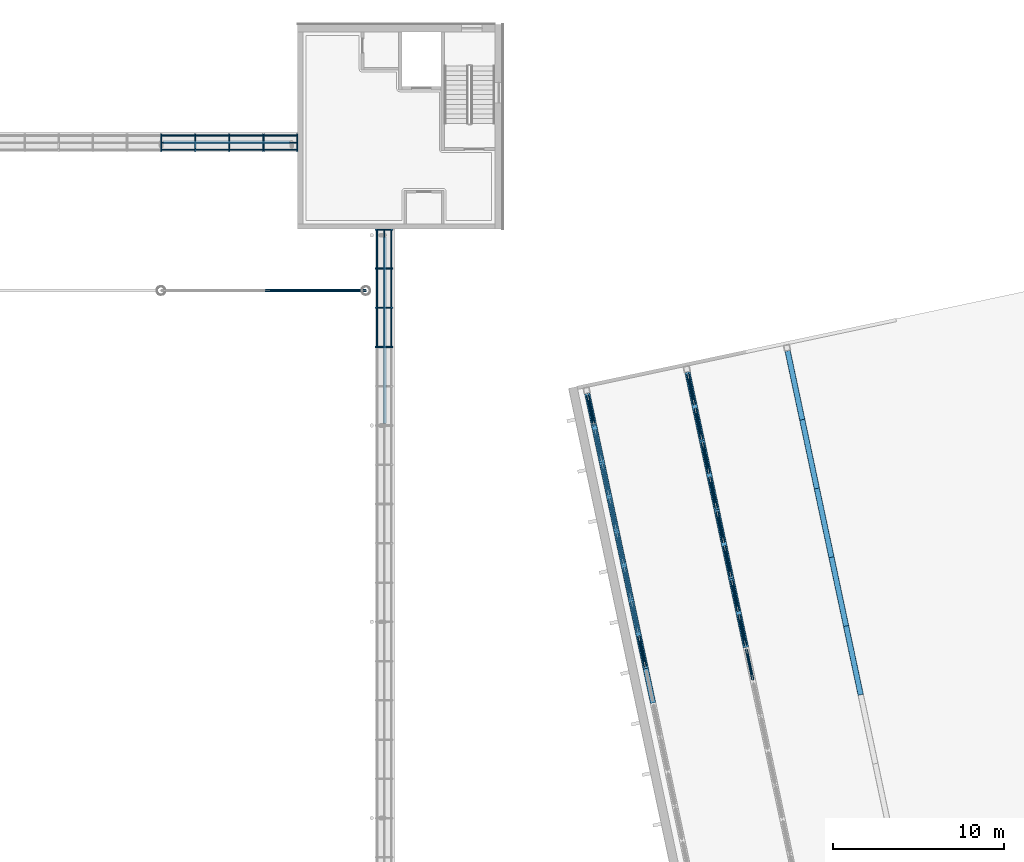
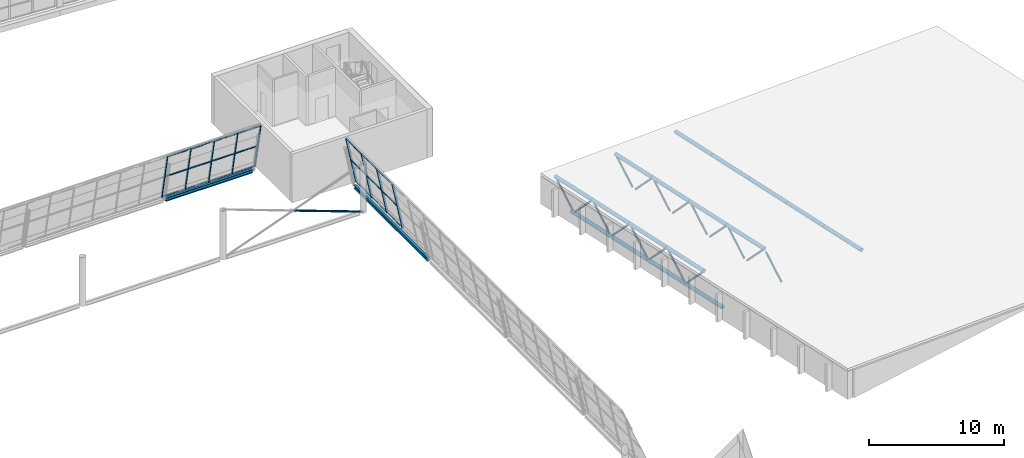
# One storey, part 17 of 50: 65 members, 2 beams, 2 elements without a shape of their own.
"""IFC4 building model written with IfcOpenShell, lengths in metres."""

import ifcopenshell
import ifcopenshell.guid

model = None  # the IFC model being written
_history = None  # IfcOwnerHistory: only IFC2X3 demands one
_inside = {}  # id of a spatial element -> (the spatial element, [elements in it])
_under = {}  # id of a project, library or spatial element -> (it, [spatial elements below it])
_declared = {}  # id of a project -> (the project, [libraries it declares])
_typed = {}  # id of a type object -> (the type object, [elements of that type])
_made_of = {}  # id of a material, layer set ... -> (it, [elements and type objects made of it])


def new_model(schema):
    """Start an empty IFC model of exactly this schema.

    Asked for "IFC4X3", IfcOpenShell would pick the latest addendum, in which some entities
    have other attributes; the version numbers below select the first issue.
    IFC2X3 requires an IfcOwnerHistory on every rooted entity: one is made here for all.
    """
    global model, _history
    if schema == "IFC4X3":
        model = ifcopenshell.file(schema_version=(4, 3, 0, 0))
    else:
        model = ifcopenshell.file(schema=schema)
    _inside.clear()
    _under.clear()
    _declared.clear()
    _typed.clear()
    _made_of.clear()
    _history = None
    if model.schema == "IFC2X3":
        org = make("IfcOrganization", Name="unknown")
        user = make(
            "IfcPersonAndOrganization",
            ThePerson=make("IfcPerson", FamilyName="unknown"),
            TheOrganization=org,
        )
        app = make(
            "IfcApplication",
            ApplicationDeveloper=org,
            Version="unknown",
            ApplicationFullName="unknown",
            ApplicationIdentifier="unknown",
        )
        _history = make(
            "IfcOwnerHistory",
            OwningUser=user,
            OwningApplication=app,
            ChangeAction="ADDED",
            CreationDate=0,
        )
    return model


def make(cls, **values):
    """One entity of the class cls with the attributes given. An attribute that is None is left unset."""
    return model.create_entity(
        cls, **{name: value for name, value in values.items() if value is not None}
    )


def rooted(cls, **values):
    """An entity with a GlobalId (a new one), such as an element, a storey or a relation."""
    return make(cls, GlobalId=ifcopenshell.guid.new(), OwnerHistory=_history, **values)


def si_unit(unit_type, name, prefix=None):
    """IfcSIUnit, for example si_unit("LENGTHUNIT", "METRE", prefix="MILLI")."""
    return make("IfcSIUnit", UnitType=unit_type, Prefix=prefix, Name=name)


def assignment(units):
    """IfcUnitAssignment: the units of a project."""
    return None if units is None else make("IfcUnitAssignment", Units=units)


def point(xyz):
    """IfcCartesianPoint."""
    return None if xyz is None else make("IfcCartesianPoint", Coordinates=xyz)


def direction(xyz):
    """IfcDirection."""
    return None if xyz is None else make("IfcDirection", DirectionRatios=xyz)


def frame(location, z_axis=None, x_axis=None):
    """IfcAxis2Placement3D, a coordinate frame: its origin and axes. An axis left out is left unset."""
    return make(
        "IfcAxis2Placement3D",
        Location=point(location),
        Axis=direction(z_axis),
        RefDirection=direction(x_axis),
    )


def frame_2d(location, x_axis=None):
    """IfcAxis2Placement2D, a coordinate frame in the plane: its origin and x axis."""
    return make(
        "IfcAxis2Placement2D", Location=point(location), RefDirection=direction(x_axis)
    )


def origin():
    """The frame at (0, 0, 0) with its axes left unset."""
    return frame((0.0, 0.0, 0.0))


def origin_2d():
    """The frame at (0, 0) in the plane with its x axis left unset."""
    return frame_2d((0.0, 0.0))


def place(relative_to, where):
    """IfcLocalPlacement: puts the frame where relative to a parent placement (None: the world)."""
    return make(
        "IfcLocalPlacement", PlacementRelTo=relative_to, RelativePlacement=where
    )


def context(
    kind, dimensions, precision=None, world=None, true_north=None, identifier=None
):
    """IfcGeometricRepresentationContext, for example the 3D "Model" context."""
    return make(
        "IfcGeometricRepresentationContext",
        ContextIdentifier=identifier,
        ContextType=kind,
        CoordinateSpaceDimension=dimensions,
        Precision=precision,
        WorldCoordinateSystem=world,
        TrueNorth=true_north,
    )


def subcontext(parent, identifier, kind, view, scale=None):
    """IfcGeometricRepresentationSubContext, for example "Body" below "Model"."""
    return make(
        "IfcGeometricRepresentationSubContext",
        ContextIdentifier=identifier,
        ContextType=kind,
        ParentContext=parent,
        TargetScale=scale,
        TargetView=view,
    )


def project(units=None, contexts=None):
    """IfcProject with its units and contexts."""
    return rooted(
        "IfcProject",
        Name="project",
        RepresentationContexts=contexts,
        UnitsInContext=assignment(units),
    )


def spatial(cls, under=None, at=None, **own):
    """A site, building, storey or space (cls), placed at a placement, below another one or the project."""
    s = rooted(cls, ObjectPlacement=at, **own)
    if under is not None:
        _under.setdefault(under.id(), (under, []))[1].append(s)
    return s


def profile(cls, at=None, kind="AREA", **sizes):
    """A parametric profile (cls). Its sizes go by their IFC names, for example OverallWidth=200.0."""
    return make(cls, ProfileType=kind, Position=at, **sizes)


def rectangle(**sizes):
    """IfcRectangleProfileDef."""
    return profile("IfcRectangleProfileDef", **sizes)


def hollow_circle(**sizes):
    """IfcCircleHollowProfileDef."""
    return profile("IfcCircleHollowProfileDef", **sizes)


def i_section(**sizes):
    """IfcIShapeProfileDef."""
    return profile("IfcIShapeProfileDef", **sizes)


def extrude(swept, where, along, depth):
    """IfcExtrudedAreaSolid: the profile swept, set in the frame where, extruded along a direction by depth."""
    return make(
        "IfcExtrudedAreaSolid",
        SweptArea=swept,
        Position=where,
        ExtrudedDirection=direction(along),
        Depth=depth,
    )


def shape(context_of_items, identifier, shape_type, items):
    """IfcShapeRepresentation: the items that make up one representation, for example the "Body"."""
    return make(
        "IfcShapeRepresentation",
        ContextOfItems=context_of_items,
        RepresentationIdentifier=identifier,
        RepresentationType=shape_type,
        Items=items,
    )


def material(Name=None, Category=None):
    """IfcMaterial."""
    return make("IfcMaterial", Name=Name, Category=Category)


def layer(
    of_material, thickness, ventilated=None, Name=None, Category=None, Priority=None
):
    """IfcMaterialLayer: one layer of a wall or slab, of a material (None: an air gap)."""
    return make(
        "IfcMaterialLayer",
        Material=of_material,
        LayerThickness=thickness,
        IsVentilated=ventilated,
        Name=Name,
        Category=Category,
        Priority=Priority,
    )


def layer_set(layers, Name=None):
    """IfcMaterialLayerSet."""
    return make("IfcMaterialLayerSet", MaterialLayers=layers, LayerSetName=Name)


def material_profile(
    of_material, cross_section, Name=None, Category=None, Priority=None
):
    """IfcMaterialProfile: a cross section and its material."""
    return make(
        "IfcMaterialProfile",
        Name=Name,
        Material=of_material,
        Profile=cross_section,
        Priority=Priority,
        Category=Category,
    )


def profile_set(profiles, Name=None, composite=None):
    """IfcMaterialProfileSet."""
    return make(
        "IfcMaterialProfileSet",
        Name=Name,
        MaterialProfiles=profiles,
        CompositeProfile=composite,
    )


def made_of(thing, what):
    """Note that an element or type object is made of a material, layer set ...; save() writes the relation."""
    if what is not None:
        _made_of.setdefault(what.id(), (what, []))[1].append(thing)
    return thing


def type_object(cls, material=None, **own):
    """A type object (cls), such as IfcWallType, which elements share."""
    return made_of(rooted(cls, **own), material)


def element(
    cls,
    number,
    at=None,
    inside=None,
    cuts=None,
    type_object=None,
    material=None,
    context=None,
    identifier="Body",
    shape_type=None,
    held_by="IfcProductDefinitionShape",
    body=None,
    shapes=None,
    **own,
):
    """One element of the class cls, such as IfcWall. Its Tag is "e" and its number.

    at: its placement. inside: the storey or other place that contains it. cuts: it is an
    opening in that element (IfcRelVoidsElement). A single representation is given by context,
    identifier, shape_type and body (its items); several are given by shapes. held_by: the class
    of the entity that holds the representations. save() writes the other relations.
    """
    e = rooted(cls, Tag="e%d" % number, ObjectPlacement=at, **own)
    if body is not None:
        shapes = [shape(context, identifier, shape_type, body)]
    if shapes is not None:
        e.Representation = make(held_by, Representations=shapes)
    if inside is not None:
        _inside.setdefault(inside.id(), (inside, []))[1].append(e)
    if cuts is not None:
        rooted(
            "IfcRelVoidsElement", RelatingBuildingElement=cuts, RelatedOpeningElement=e
        )
    if type_object is not None:
        _typed.setdefault(type_object.id(), (type_object, []))[1].append(e)
    return made_of(e, material)


def aggregate(whole, parts):
    """IfcRelAggregates: a whole, such as a stair, and the parts it consists of."""
    return rooted("IfcRelAggregates", RelatingObject=whole, RelatedObjects=parts)


def save(model, path):
    """Write the relations noted so far, then the file.

    IfcRelAggregates (storeys below a building ...), IfcRelContainedInSpatialStructure (elements
    in a storey), IfcRelDefinesByType, IfcRelAssociatesMaterial and IfcRelDeclares: one each for
    every whole, place, type object, material and project.
    """
    for whole, parts in _under.values():
        aggregate(whole, parts)
    for where, things in _inside.values():
        rooted(
            "IfcRelContainedInSpatialStructure",
            RelatedElements=things,
            RelatingStructure=where,
        )
    for kind, things in _typed.values():
        rooted("IfcRelDefinesByType", RelatedObjects=things, RelatingType=kind)
    for what, things in _made_of.values():
        rooted("IfcRelAssociatesMaterial", RelatedObjects=things, RelatingMaterial=what)
    for by, libraries in _declared.values():
        rooted("IfcRelDeclares", RelatingContext=by, RelatedDefinitions=libraries)
    model.write(path)


model = new_model("IFC4")

# Units and contexts
model_context = context("Model", 3, precision=1e-05, world=origin(), true_north=direction((0.0, 1.0)))
body_context = subcontext(model_context, "Body", "Model", "MODEL_VIEW")
ifc_project = project(units=[si_unit("LENGTHUNIT", "METRE"), si_unit("AREAUNIT", "SQUARE_METRE"), si_unit("VOLUMEUNIT", "CUBIC_METRE"), si_unit("PLANEANGLEUNIT", "RADIAN"), si_unit("MASSUNIT", "GRAM", prefix="KILO")], contexts=[model_context])

# Site, building, storey
site_placement = place(None, origin())
site = spatial("IfcSite", under=ifc_project, at=site_placement, CompositionType="ELEMENT")
building_placement = place(site_placement, origin())
building = spatial("IfcBuilding", under=site, at=building_placement, Name="Windward Yard Aquatics Centre", CompositionType="ELEMENT")
storey_placement = place(building_placement, frame((0.0, 0.0, 18.199951171875)))
storey = spatial("IfcBuildingStorey", under=building, at=storey_placement, Name="L04", CompositionType="ELEMENT", Elevation=18.199951171875)

# Members
ifc_material_1 = material(Name="Steel ASTM A500 Gr C", Category="steel")
ifc_material_profile_1 = material_profile(ifc_material_1, hollow_circle(Radius=0.161865234375, WallThickness=0.0126953125, at=origin_2d()), Name="HSS323.9X12.7")
ifc_profile_set_1 = profile_set([ifc_material_profile_1], Name="Steel ASTM A500 Gr C")
member_type_1 = type_object("IfcMemberType", Name="D bottom chord HSS323.9X12.7", PredefinedType="CHORD", material=ifc_profile_set_1)
member_1_placement = place(storey_placement, frame((160.82177734375, 56.242431640625, 0.104736328125), z_axis=(-0.2079182829, 0.97814619952, 0.0), x_axis=(-0.97814619952, -0.2079182829, 0.0)))
element("IfcMember", 1, at=member_1_placement, inside=storey, type_object=member_type_1, Name="D.M.TR1.BC4", PredefinedType="CHORD", context=body_context, shape_type="SweptSolid", body=[
    extrude(hollow_circle(Radius=0.161865234375, WallThickness=0.0126953125, at=origin_2d()), origin(), (0.0, 0.0, 1.0), 4.120361328125),
])
for number, where, z_axis, x_axis, name in (
    (2, (159.965087890625, 60.272705078125, 0.104736328125), (-0.207906233063, 0.978148760799, 0.0), (-0.978148760799, -0.207906233063, 0.0), "D.M.TR1.BC5"),
    (3, (159.1083984375, 64.30322265625, 0.104736328125), (-0.207906233063, 0.978148760799, 0.0), (-0.978148760799, -0.207906233063, 0.0), "D.M.TR1.BC6"),
):
    element("IfcMember", number, at=place(storey_placement, frame(where, z_axis=z_axis, x_axis=x_axis)), inside=storey, type_object=member_type_1, Name=name, PredefinedType="CHORD", context=body_context, shape_type="SweptSolid", body=[
        extrude(hollow_circle(Radius=0.161865234375, WallThickness=0.0126953125, at=origin_2d()), origin(), (0.0, 0.0, 1.0), 4.12060546875),
    ])
member_2_placement = place(storey_placement, frame((158.251708984375, 68.333740234375, 0.104736328125), z_axis=(-0.207918885104, 0.978146071513, 0.0), x_axis=(-0.978146071513, -0.207918885104, 0.0)))
element("IfcMember", 4, at=member_2_placement, inside=storey, type_object=member_type_1, Name="D.M.TR1.BC7", PredefinedType="CHORD", context=body_context, shape_type="SweptSolid", body=[
    extrude(hollow_circle(Radius=0.161865234375, WallThickness=0.0126953125, at=origin_2d()), origin(), (0.0, 0.0, 1.0), 4.370361328125),
])
ifc_material_profile_2 = material_profile(ifc_material_1, hollow_circle(Radius=0.161865234375, WallThickness=0.0126953125, at=origin_2d()), Name="HSS323.9X12.7")
ifc_profile_set_2 = profile_set([ifc_material_profile_2], Name="Steel ASTM A500 Gr C")
member_type_2 = type_object("IfcMemberType", Name="D top chord HSS323.9X12.7", PredefinedType="CHORD", material=ifc_profile_set_2)
for number, where, z_axis, x_axis, name in (
    (5, (160.393310546875, 58.257568359375, 2.3046875), (-0.207906233063, 0.978148760799, 0.0), (-0.978148760799, -0.207906233063, 0.0), "D.M.TR1.TC5"),
    (6, (159.53662109375, 62.2880859375, 2.3046875), (-0.207906233063, 0.978148760799, 0.0), (-0.978148760799, -0.207906233063, 0.0), "D.M.TR1.TC6"),
    (7, (158.679931640625, 66.318603515625, 2.3046875), (-0.207906233063, 0.978148760799, 0.0), (-0.978148760799, -0.207906233063, 0.0), "D.M.TR1.TC7"),
):
    element("IfcMember", number, at=place(storey_placement, frame(where, z_axis=z_axis, x_axis=x_axis)), inside=storey, type_object=member_type_2, Name=name, PredefinedType="CHORD", context=body_context, shape_type="SweptSolid", body=[
        extrude(hollow_circle(Radius=0.161865234375, WallThickness=0.0126953125, at=origin_2d()), origin(), (0.0, 0.0, 1.0), 4.12060546875),
    ])
for number, where, z_axis, x_axis, name in (
    (8, (157.8232421875, 70.34912109375, 2.3046875), (-0.2079182829, 0.97814619952, 0.0), (-0.97814619952, -0.2079182829, 0.0), "D.M.TR1.TC8"),
    (9, (166.26220703125, 59.505126953125, 1.51513671875), (-0.2079182829, 0.97814619952, 0.0), (-0.97814619952, -0.2079182829, 0.0), "D.M.TR2.TC5"),
):
    element("IfcMember", number, at=place(storey_placement, frame(where, z_axis=z_axis, x_axis=x_axis)), inside=storey, type_object=member_type_2, Name=name, PredefinedType="CHORD", context=body_context, shape_type="SweptSolid", body=[
        extrude(hollow_circle(Radius=0.161865234375, WallThickness=0.0126953125, at=origin_2d()), origin(), (0.0, 0.0, 1.0), 4.120361328125),
    ])
for number, where, z_axis, x_axis, name in (
    (10, (165.405517578125, 63.535400390625, 1.51513671875), (-0.207906233063, 0.978148760799, 0.0), (-0.978148760799, -0.207906233063, 0.0), "D.M.TR2.TC6"),
    (11, (164.548828125, 67.56591796875, 1.51513671875), (-0.207906233063, 0.978148760799, 0.0), (-0.978148760799, -0.207906233063, 0.0), "D.M.TR2.TC7"),
    (12, (163.692138671875, 71.596435546875, 1.51513671875), (-0.207906233063, 0.978148760799, 0.0), (-0.978148760799, -0.207906233063, 0.0), "D.M.TR2.TC8"),
):
    element("IfcMember", number, at=place(storey_placement, frame(where, z_axis=z_axis, x_axis=x_axis)), inside=storey, type_object=member_type_2, Name=name, PredefinedType="CHORD", context=body_context, shape_type="SweptSolid", body=[
        extrude(hollow_circle(Radius=0.161865234375, WallThickness=0.0126953125, at=origin_2d()), origin(), (0.0, 0.0, 1.0), 4.12060546875),
    ])
member_3_placement = place(storey_placement, frame((172.98779296875, 56.72216796875, 0.725830078125), z_axis=(-0.2079182829, 0.97814619952, 0.0), x_axis=(-0.97814619952, -0.2079182829, 0.0)))
element("IfcMember", 13, at=member_3_placement, inside=storey, type_object=member_type_2, Name="D.M.TR3.TC4", PredefinedType="CHORD", context=body_context, shape_type="SweptSolid", body=[
    extrude(hollow_circle(Radius=0.161865234375, WallThickness=0.0126953125, at=origin_2d()), origin(), (0.0, 0.0, 1.0), 4.120361328125),
])
for number, where, z_axis, x_axis, name in (
    (14, (172.131103515625, 60.75244140625, 0.725830078125), (-0.207906233063, 0.978148760799, 0.0), (-0.978148760799, -0.207906233063, 0.0), "D.M.TR3.TC5"),
    (15, (171.2744140625, 64.782958984375, 0.725830078125), (-0.207906233063, 0.978148760799, 0.0), (-0.978148760799, -0.207906233063, 0.0), "D.M.TR3.TC6"),
    (16, (170.417724609375, 68.8134765625, 0.725830078125), (-0.207906233063, 0.978148760799, 0.0), (-0.978148760799, -0.207906233063, 0.0), "D.M.TR3.TC7"),
    (17, (169.56103515625, 72.843994140625, 0.725830078125), (-0.207906233063, 0.978148760799, 0.0), (-0.978148760799, -0.207906233063, 0.0), "D.M.TR3.TC8"),
):
    element("IfcMember", number, at=place(storey_placement, frame(where, z_axis=z_axis, x_axis=x_axis)), inside=storey, type_object=member_type_2, Name=name, PredefinedType="CHORD", context=body_context, shape_type="SweptSolid", body=[
        extrude(hollow_circle(Radius=0.161865234375, WallThickness=0.0126953125, at=origin_2d()), origin(), (0.0, 0.0, 1.0), 4.12060546875),
    ])
ifc_material_profile_3 = material_profile(ifc_material_1, hollow_circle(Radius=0.084228515625, WallThickness=0.010986328125, at=origin_2d()), Name="HSS168.3X11")
ifc_profile_set_3 = profile_set([ifc_material_profile_3], Name="Steel ASTM A500 Gr C")
member_type_3 = type_object("IfcMemberType", Name="D web HSS168.3X11", PredefinedType="BRACE", material=ifc_profile_set_3)
for number, where, z_axis, x_axis, name in (
    (18, (160.36181640625, 58.406005859375, 2.142822265625), (-0.142103284534, 0.668626350155, -0.729894143286), (-0.978152846624, -0.207887009312, 0.0), "D.M.TR1.D9"),
    (19, (159.568115234375, 62.1396484375, 2.142822265625), (0.142196353333, -0.668617322053, -0.729884287918), (0.978124581159, 0.208019959937, 0.0), "D.M.TR1.D10"),
    (20, (159.505126953125, 62.436279296875, 2.142822265625), (-0.142103284534, 0.668626350155, -0.729894143286), (-0.978152846624, -0.207887009312, 0.0), "D.M.TR1.D11"),
    (21, (158.71142578125, 66.170166015625, 2.142822265625), (0.142196353333, -0.668617322053, -0.729884287918), (0.978124581159, 0.208019959937, 0.0), "D.M.TR1.D12"),
    (22, (158.6484375, 66.466796875, 2.142822265625), (-0.142103284534, 0.668626350155, -0.729894143286), (-0.978152846624, -0.207887009312, 0.0), "D.M.TR1.D13"),
    (23, (157.854736328125, 70.20068359375, 2.142822265625), (0.142196353333, -0.668617322053, -0.729884287918), (0.978124581159, 0.208019959937, 0.0), "D.M.TR1.D14"),
    (24, (157.791748046875, 70.497314453125, 2.142822265625), (-0.142103284534, 0.668626350155, -0.729894143286), (-0.978152846624, -0.207887009312, 0.0), "D.M.TR1.D15"),
):
    element("IfcMember", number, at=place(storey_placement, frame(where, z_axis=z_axis, x_axis=x_axis)), inside=storey, type_object=member_type_3, Name=name, PredefinedType="BRACE", context=body_context, shape_type="SweptSolid", body=[
        extrude(hollow_circle(Radius=0.084228515625, WallThickness=0.010986328125, at=origin_2d()), origin(), (0.0, 0.0, 1.0), 2.5703125),
    ])
member_4_placement = place(storey_placement, frame((156.998046875, 74.23095703125, 2.142822265625), z_axis=(0.142112310021, -0.668573822143, -0.72994050147), x_axis=(0.978146839882, 0.207915270313, 0.0)))
element("IfcMember", 25, at=member_4_placement, inside=storey, type_object=member_type_3, Name="D.M.TR1.D16", PredefinedType="BRACE", context=body_context, shape_type="SweptSolid", body=[
    extrude(hollow_circle(Radius=0.084228515625, WallThickness=0.010986328125, at=origin_2d()), origin(), (0.0, 0.0, 1.0), 2.570068359375),
])
member_5_placement = place(storey_placement, frame((166.293701171875, 59.356689453125, 1.353271484375), z_axis=(0.142103284534, -0.668626350155, -0.729894143286), x_axis=(0.978152846624, 0.207887009312, 0.0)))
element("IfcMember", 26, at=member_5_placement, inside=storey, type_object=member_type_3, Name="D.M.TR2.D8", PredefinedType="BRACE", context=body_context, shape_type="SweptSolid", body=[
    extrude(hollow_circle(Radius=0.084228515625, WallThickness=0.010986328125, at=origin_2d()), origin(), (0.0, 0.0, 1.0), 2.5703125),
])
member_6_placement = place(storey_placement, frame((166.230712890625, 59.653564453125, 1.353271484375), z_axis=(-0.142112310021, 0.668573822143, -0.72994050147), x_axis=(-0.978146839882, -0.207915270313, 0.0)))
element("IfcMember", 27, at=member_6_placement, inside=storey, type_object=member_type_3, Name="D.M.TR2.D9", PredefinedType="BRACE", context=body_context, shape_type="SweptSolid", body=[
    extrude(hollow_circle(Radius=0.084228515625, WallThickness=0.010986328125, at=origin_2d()), origin(), (0.0, 0.0, 1.0), 2.570068359375),
])
for number, where, z_axis, x_axis, name in (
    (28, (165.43701171875, 63.38720703125, 1.353271484375), (0.142103284534, -0.668626350155, -0.729894143286), (0.978152846624, 0.207887009312, 0.0), "D.M.TR2.D10"),
    (29, (165.3740234375, 63.683837890625, 1.353271484375), (-0.142103284534, 0.668626350155, -0.729894143286), (-0.978152846624, -0.207887009312, 0.0), "D.M.TR2.D11"),
):
    element("IfcMember", number, at=place(storey_placement, frame(where, z_axis=z_axis, x_axis=x_axis)), inside=storey, type_object=member_type_3, Name=name, PredefinedType="BRACE", context=body_context, shape_type="SweptSolid", body=[
        extrude(hollow_circle(Radius=0.084228515625, WallThickness=0.010986328125, at=origin_2d()), origin(), (0.0, 0.0, 1.0), 2.5703125),
    ])
member_7_placement = place(storey_placement, frame((164.580322265625, 67.41748046875, 1.353271484375), z_axis=(0.142112310021, -0.668573822143, -0.72994050147), x_axis=(0.978146839882, 0.207915270313, 0.0)))
element("IfcMember", 30, at=member_7_placement, inside=storey, type_object=member_type_3, Name="D.M.TR2.D12", PredefinedType="BRACE", context=body_context, shape_type="SweptSolid", body=[
    extrude(hollow_circle(Radius=0.084228515625, WallThickness=0.010986328125, at=origin_2d()), origin(), (0.0, 0.0, 1.0), 2.570068359375),
])
for number, where, z_axis, x_axis, name in (
    (31, (164.517333984375, 67.71435546875, 1.353271484375), (-0.142103284534, 0.668626350155, -0.729894143286), (-0.978152846624, -0.207887009312, 0.0), "D.M.TR2.D13"),
    (32, (163.7236328125, 71.447998046875, 1.353271484375), (0.142103284534, -0.668626350155, -0.729894143286), (0.978152846624, 0.207887009312, 0.0), "D.M.TR2.D14"),
    (33, (163.66064453125, 71.744873046875, 1.353271484375), (-0.142103284534, 0.668626350155, -0.729894143286), (-0.978152846624, -0.207887009312, 0.0), "D.M.TR2.D15"),
    (34, (162.866943359375, 75.478515625, 1.353271484375), (0.142103284534, -0.668626350155, -0.729894143286), (0.978152846624, 0.207887009312, 0.0), "D.M.TR2.D16"),
):
    element("IfcMember", number, at=place(storey_placement, frame(where, z_axis=z_axis, x_axis=x_axis)), inside=storey, type_object=member_type_3, Name=name, PredefinedType="BRACE", context=body_context, shape_type="SweptSolid", body=[
        extrude(hollow_circle(Radius=0.084228515625, WallThickness=0.010986328125, at=origin_2d()), origin(), (0.0, 0.0, 1.0), 2.5703125),
    ])

# Curtain wall, members
ifc_material_2 = material(Name="Glass and aluminium curtain wall", Category="aluminium")
ifc_layer = layer(ifc_material_2, 0.179931640625)
ifc_layer_set = layer_set([ifc_layer], Name="H curtain wall tier 2 double glazed 6+16+6")
curtain_wall_type = type_object("IfcCurtainWallType", Name="H curtain wall tier 2 double glazed 6+16+6", PredefinedType="NOTDEFINED", material=ifc_layer_set)
curtain_wall_1_placement = place(storey_placement, origin())
curtain_wall_1 = element("IfcCurtainWall", 35, at=curtain_wall_1_placement, inside=storey, type_object=curtain_wall_type, Name="Tier 2 glazing N L04", PredefinedType="NOTDEFINED")
ifc_material_3 = material(Name="Aluminium 6063-T6 anodised", Category="aluminium")
ifc_material_profile_4 = material_profile(ifc_material_3, rectangle(XDim=0.06494140625, YDim=0.179931640625, at=origin_2d()), Name="H CW mullion 65x180")
ifc_profile_set_4 = profile_set([ifc_material_profile_4], Name="Aluminium 6063-T6 anodised")
member_type_4 = type_object("IfcMemberType", Name="H CW mullion 65x180", PredefinedType="MULLION", material=ifc_profile_set_4)
member_8_placement = place(storey_placement, frame((132.0009765625, 89.494873046875, 0.0), z_axis=(0.0, -0.199376314935, 0.979922999548), x_axis=(1.0, 0.0, 0.0)))
member_8 = element("IfcMember", 36, at=member_8_placement, type_object=member_type_4, Name="G2NB mullion 16", PredefinedType="MULLION", context=body_context, shape_type="SweptSolid", body=[
    extrude(rectangle(XDim=0.06494140625, YDim=0.179931640625, at=origin_2d()), origin(), (0.0, 0.0, 1.0), 4.31884765625),
])
member_9_placement = place(storey_placement, frame((134.000732421875, 89.494873046875, 0.0), z_axis=(0.0, -0.199376314935, 0.979922999548), x_axis=(1.0, 0.0, 0.0)))
member_9 = element("IfcMember", 37, at=member_9_placement, type_object=member_type_4, Name="G2NB mullion 17", PredefinedType="MULLION", context=body_context, shape_type="SweptSolid", body=[
    extrude(rectangle(XDim=0.06494140625, YDim=0.179931640625, at=origin_2d()), origin(), (0.0, 0.0, 1.0), 4.31884765625),
])
member_10_placement = place(storey_placement, frame((136.00048828125, 89.494873046875, 0.0), z_axis=(0.0, -0.199376314935, 0.979922999548), x_axis=(1.0, 0.0, 0.0)))
member_10 = element("IfcMember", 38, at=member_10_placement, type_object=member_type_4, Name="G2NB mullion 18", PredefinedType="MULLION", context=body_context, shape_type="SweptSolid", body=[
    extrude(rectangle(XDim=0.06494140625, YDim=0.179931640625, at=origin_2d()), origin(), (0.0, 0.0, 1.0), 4.31884765625),
])
member_11_placement = place(storey_placement, frame((138.000244140625, 89.494873046875, 0.0), z_axis=(0.0, -0.199376314935, 0.979922999548), x_axis=(1.0, 0.0, 0.0)))
member_11 = element("IfcMember", 39, at=member_11_placement, type_object=member_type_4, Name="G2NB mullion 19", PredefinedType="MULLION", context=body_context, shape_type="SweptSolid", body=[
    extrude(rectangle(XDim=0.06494140625, YDim=0.179931640625, at=origin_2d()), origin(), (0.0, 0.0, 1.0), 4.31884765625),
])
member_12_placement = place(storey_placement, frame((139.967529296875, 89.494873046875, 0.0), z_axis=(0.0, -0.199376314935, 0.979922999548), x_axis=(1.0, 0.0, 0.0)))
member_12 = element("IfcMember", 40, at=member_12_placement, type_object=member_type_4, Name="G2NB mullion 20", PredefinedType="MULLION", context=body_context, shape_type="SweptSolid", body=[
    extrude(rectangle(XDim=0.06494140625, YDim=0.179931640625, at=origin_2d()), origin(), (0.0, 0.0, 1.0), 4.31884765625),
])

curtain_wall_2_placement = place(storey_placement, origin())
curtain_wall_2 = element("IfcCurtainWall", 41, at=curtain_wall_2_placement, inside=storey, type_object=curtain_wall_type, Name="Tier 2 glazing E L04", PredefinedType="NOTDEFINED")
member_13_placement = place(storey_placement, frame((145.494873046875, 77.10009765625, 0.0), z_axis=(-0.199376314935, 0.0, 0.979922999548), x_axis=(0.0, -1.0, 0.0)))
member_13 = element("IfcMember", 42, at=member_13_placement, type_object=member_type_4, Name="G2EA mullion 18", PredefinedType="MULLION", context=body_context, shape_type="SweptSolid", body=[
    extrude(rectangle(XDim=0.06494140625, YDim=0.179931640625, at=origin_2d()), origin(), (0.0, 0.0, 1.0), 4.31884765625),
])
member_14_placement = place(storey_placement, frame((145.494873046875, 79.39990234375, 0.0), z_axis=(-0.199376314935, 0.0, 0.979922999548), x_axis=(0.0, -1.0, 0.0)))
member_14 = element("IfcMember", 43, at=member_14_placement, type_object=member_type_4, Name="G2EA mullion 19", PredefinedType="MULLION", context=body_context, shape_type="SweptSolid", body=[
    extrude(rectangle(XDim=0.06494140625, YDim=0.179931640625, at=origin_2d()), origin(), (0.0, 0.0, 1.0), 4.31884765625),
])
member_15_placement = place(storey_placement, frame((145.494873046875, 81.699951171875, 0.0), z_axis=(-0.199376314935, 0.0, 0.979922999548), x_axis=(0.0, -1.0, 0.0)))
member_15 = element("IfcMember", 44, at=member_15_placement, type_object=member_type_4, Name="G2EA mullion 20", PredefinedType="MULLION", context=body_context, shape_type="SweptSolid", body=[
    extrude(rectangle(XDim=0.06494140625, YDim=0.179931640625, at=origin_2d()), origin(), (0.0, 0.0, 1.0), 4.31884765625),
])
member_16_placement = place(storey_placement, frame((145.494873046875, 83.967529296875, 0.0), z_axis=(-0.199376314935, 0.0, 0.979922999548), x_axis=(0.0, -1.0, 0.0)))
member_16 = element("IfcMember", 45, at=member_16_placement, type_object=member_type_4, Name="G2EA mullion 21", PredefinedType="MULLION", context=body_context, shape_type="SweptSolid", body=[
    extrude(rectangle(XDim=0.06494140625, YDim=0.179931640625, at=origin_2d()), origin(), (0.0, 0.0, 1.0), 4.31884765625),
])

# Member
ifc_material_profile_5 = material_profile(ifc_material_3, rectangle(XDim=0.06494140625, YDim=0.10009765625, at=origin_2d()), Name="H CW transom 65x100")
ifc_profile_set_5 = profile_set([ifc_material_profile_5], Name="Aluminium 6063-T6 anodised")
member_type_5 = type_object("IfcMemberType", Name="H CW transom 65x100", PredefinedType="USERDEFINED", material=ifc_profile_set_5)
member_17_placement = place(storey_placement, frame((132.033447265625, 89.48486328125, 0.049072265625), z_axis=(1.0, 0.0, 0.0), x_axis=(0.0, 0.9799247046, 0.19936793452)))
member_17 = element("IfcMember", 46, at=member_17_placement, type_object=member_type_5, Name="G2NB transom 16.1", ObjectType="TRANSOM", PredefinedType="USERDEFINED", context=body_context, shape_type="SweptSolid", body=[
    extrude(rectangle(XDim=0.06494140625, YDim=0.10009765625, at=origin_2d()), origin(), (0.0, 0.0, 1.0), 1.934814453125),
])

member_18_placement = place(storey_placement, frame((132.033447265625, 89.0625, 2.125), z_axis=(1.0, 0.0, 0.0), x_axis=(0.0, 0.9799247046, 0.19936793452)))
member_18 = element("IfcMember", 47, at=member_18_placement, type_object=member_type_5, Name="G2NB transom 16.2", ObjectType="TRANSOM", PredefinedType="USERDEFINED", context=body_context, shape_type="SweptSolid", body=[
    extrude(rectangle(XDim=0.06494140625, YDim=0.10009765625, at=origin_2d()), origin(), (0.0, 0.0, 1.0), 1.934814453125),
])

member_19_placement = place(storey_placement, frame((132.033447265625, 88.641357421875, 4.194580078125), z_axis=(1.0, 0.0, 0.0), x_axis=(0.0, 0.9799247046, 0.19936793452)))
member_19 = element("IfcMember", 48, at=member_19_placement, type_object=member_type_5, Name="G2NB transom 16.3", ObjectType="TRANSOM", PredefinedType="USERDEFINED", context=body_context, shape_type="SweptSolid", body=[
    extrude(rectangle(XDim=0.06494140625, YDim=0.10009765625, at=origin_2d()), origin(), (0.0, 0.0, 1.0), 1.934814453125),
])

member_20_placement = place(storey_placement, frame((134.033203125, 89.48486328125, 0.049072265625), z_axis=(1.0, 0.0, 0.0), x_axis=(0.0, 0.9799247046, 0.19936793452)))
member_20 = element("IfcMember", 49, at=member_20_placement, type_object=member_type_5, Name="G2NB transom 17.1", ObjectType="TRANSOM", PredefinedType="USERDEFINED", context=body_context, shape_type="SweptSolid", body=[
    extrude(rectangle(XDim=0.06494140625, YDim=0.10009765625, at=origin_2d()), origin(), (0.0, 0.0, 1.0), 1.934814453125),
])

member_21_placement = place(storey_placement, frame((134.033203125, 89.0625, 2.125), z_axis=(1.0, 0.0, 0.0), x_axis=(0.0, 0.9799247046, 0.19936793452)))
member_21 = element("IfcMember", 50, at=member_21_placement, type_object=member_type_5, Name="G2NB transom 17.2", ObjectType="TRANSOM", PredefinedType="USERDEFINED", context=body_context, shape_type="SweptSolid", body=[
    extrude(rectangle(XDim=0.06494140625, YDim=0.10009765625, at=origin_2d()), origin(), (0.0, 0.0, 1.0), 1.934814453125),
])

member_22_placement = place(storey_placement, frame((134.033203125, 88.641357421875, 4.194580078125), z_axis=(1.0, 0.0, 0.0), x_axis=(0.0, 0.9799247046, 0.19936793452)))
member_22 = element("IfcMember", 51, at=member_22_placement, type_object=member_type_5, Name="G2NB transom 17.3", ObjectType="TRANSOM", PredefinedType="USERDEFINED", context=body_context, shape_type="SweptSolid", body=[
    extrude(rectangle(XDim=0.06494140625, YDim=0.10009765625, at=origin_2d()), origin(), (0.0, 0.0, 1.0), 1.934814453125),
])

member_23_placement = place(storey_placement, frame((136.032958984375, 89.48486328125, 0.049072265625), z_axis=(1.0, 0.0, 0.0), x_axis=(0.0, 0.9799247046, 0.19936793452)))
member_23 = element("IfcMember", 52, at=member_23_placement, type_object=member_type_5, Name="G2NB transom 18.1", ObjectType="TRANSOM", PredefinedType="USERDEFINED", context=body_context, shape_type="SweptSolid", body=[
    extrude(rectangle(XDim=0.06494140625, YDim=0.10009765625, at=origin_2d()), origin(), (0.0, 0.0, 1.0), 1.934814453125),
])

member_24_placement = place(storey_placement, frame((136.032958984375, 89.0625, 2.125), z_axis=(1.0, 0.0, 0.0), x_axis=(0.0, 0.9799247046, 0.19936793452)))
member_24 = element("IfcMember", 53, at=member_24_placement, type_object=member_type_5, Name="G2NB transom 18.2", ObjectType="TRANSOM", PredefinedType="USERDEFINED", context=body_context, shape_type="SweptSolid", body=[
    extrude(rectangle(XDim=0.06494140625, YDim=0.10009765625, at=origin_2d()), origin(), (0.0, 0.0, 1.0), 1.934814453125),
])

member_25_placement = place(storey_placement, frame((136.032958984375, 88.641357421875, 4.194580078125), z_axis=(1.0, 0.0, 0.0), x_axis=(0.0, 0.9799247046, 0.19936793452)))
member_25 = element("IfcMember", 54, at=member_25_placement, type_object=member_type_5, Name="G2NB transom 18.3", ObjectType="TRANSOM", PredefinedType="USERDEFINED", context=body_context, shape_type="SweptSolid", body=[
    extrude(rectangle(XDim=0.06494140625, YDim=0.10009765625, at=origin_2d()), origin(), (0.0, 0.0, 1.0), 1.934814453125),
])

member_26_placement = place(storey_placement, frame((138.03271484375, 89.48486328125, 0.049072265625), z_axis=(1.0, 0.0, 0.0), x_axis=(0.0, 0.9799247046, 0.19936793452)))
member_26 = element("IfcMember", 55, at=member_26_placement, type_object=member_type_5, Name="G2NB transom 19.1", ObjectType="TRANSOM", PredefinedType="USERDEFINED", context=body_context, shape_type="SweptSolid", body=[
    extrude(rectangle(XDim=0.06494140625, YDim=0.10009765625, at=origin_2d()), origin(), (0.0, 0.0, 1.0), 1.90234375),
])

member_27_placement = place(storey_placement, frame((138.03271484375, 89.0625, 2.125), z_axis=(1.0, 0.0, 0.0), x_axis=(0.0, 0.9799247046, 0.19936793452)))
member_27 = element("IfcMember", 56, at=member_27_placement, type_object=member_type_5, Name="G2NB transom 19.2", ObjectType="TRANSOM", PredefinedType="USERDEFINED", context=body_context, shape_type="SweptSolid", body=[
    extrude(rectangle(XDim=0.06494140625, YDim=0.10009765625, at=origin_2d()), origin(), (0.0, 0.0, 1.0), 1.90234375),
])

member_28_placement = place(storey_placement, frame((138.03271484375, 88.641357421875, 4.194580078125), z_axis=(1.0, 0.0, 0.0), x_axis=(0.0, 0.9799247046, 0.19936793452)))
member_28 = element("IfcMember", 57, at=member_28_placement, type_object=member_type_5, Name="G2NB transom 19.3", ObjectType="TRANSOM", PredefinedType="USERDEFINED", context=body_context, shape_type="SweptSolid", body=[
    extrude(rectangle(XDim=0.06494140625, YDim=0.10009765625, at=origin_2d()), origin(), (0.0, 0.0, 1.0), 1.90234375),
])

aggregate(curtain_wall_1, [member_8, member_9, member_10, member_11, member_12, member_17, member_18, member_19, member_20, member_21, member_22, member_23, member_24, member_25, member_26, member_27, member_28])

member_29_placement = place(storey_placement, frame((145.48486328125, 77.132568359375, 0.049072265625), z_axis=(0.0, 1.0, 0.0), x_axis=(0.9799247046, 0.0, 0.19936793452)))
member_29 = element("IfcMember", 58, at=member_29_placement, type_object=member_type_5, Name="G2EA transom 18.1", ObjectType="TRANSOM", PredefinedType="USERDEFINED", context=body_context, shape_type="SweptSolid", body=[
    extrude(rectangle(XDim=0.06494140625, YDim=0.10009765625, at=origin_2d()), origin(), (0.0, 0.0, 1.0), 2.23486328125),
])

member_30_placement = place(storey_placement, frame((145.0625, 77.132568359375, 2.125), z_axis=(0.0, 1.0, 0.0), x_axis=(0.9799247046, 0.0, 0.19936793452)))
member_30 = element("IfcMember", 59, at=member_30_placement, type_object=member_type_5, Name="G2EA transom 18.2", ObjectType="TRANSOM", PredefinedType="USERDEFINED", context=body_context, shape_type="SweptSolid", body=[
    extrude(rectangle(XDim=0.06494140625, YDim=0.10009765625, at=origin_2d()), origin(), (0.0, 0.0, 1.0), 2.23486328125),
])

member_31_placement = place(storey_placement, frame((144.641357421875, 77.132568359375, 4.194580078125), z_axis=(0.0, 1.0, 0.0), x_axis=(0.9799247046, 0.0, 0.19936793452)))
member_31 = element("IfcMember", 60, at=member_31_placement, type_object=member_type_5, Name="G2EA transom 18.3", ObjectType="TRANSOM", PredefinedType="USERDEFINED", context=body_context, shape_type="SweptSolid", body=[
    extrude(rectangle(XDim=0.06494140625, YDim=0.10009765625, at=origin_2d()), origin(), (0.0, 0.0, 1.0), 2.23486328125),
])

member_32_placement = place(storey_placement, frame((145.48486328125, 79.4326171875, 0.049072265625), z_axis=(0.0, 1.0, 0.0), x_axis=(0.9799247046, 0.0, 0.19936793452)))
member_32 = element("IfcMember", 61, at=member_32_placement, type_object=member_type_5, Name="G2EA transom 19.1", ObjectType="TRANSOM", PredefinedType="USERDEFINED", context=body_context, shape_type="SweptSolid", body=[
    extrude(rectangle(XDim=0.06494140625, YDim=0.10009765625, at=origin_2d()), origin(), (0.0, 0.0, 1.0), 2.23486328125),
])

member_33_placement = place(storey_placement, frame((145.0625, 79.4326171875, 2.125), z_axis=(0.0, 1.0, 0.0), x_axis=(0.9799247046, 0.0, 0.19936793452)))
member_33 = element("IfcMember", 62, at=member_33_placement, type_object=member_type_5, Name="G2EA transom 19.2", ObjectType="TRANSOM", PredefinedType="USERDEFINED", context=body_context, shape_type="SweptSolid", body=[
    extrude(rectangle(XDim=0.06494140625, YDim=0.10009765625, at=origin_2d()), origin(), (0.0, 0.0, 1.0), 2.23486328125),
])

member_34_placement = place(storey_placement, frame((144.641357421875, 79.4326171875, 4.194580078125), z_axis=(0.0, 1.0, 0.0), x_axis=(0.9799247046, 0.0, 0.19936793452)))
member_34 = element("IfcMember", 63, at=member_34_placement, type_object=member_type_5, Name="G2EA transom 19.3", ObjectType="TRANSOM", PredefinedType="USERDEFINED", context=body_context, shape_type="SweptSolid", body=[
    extrude(rectangle(XDim=0.06494140625, YDim=0.10009765625, at=origin_2d()), origin(), (0.0, 0.0, 1.0), 2.23486328125),
])

member_35_placement = place(storey_placement, frame((145.48486328125, 81.732421875, 0.049072265625), z_axis=(0.0, 1.0, 0.0), x_axis=(0.9799247046, 0.0, 0.19936793452)))
member_35 = element("IfcMember", 64, at=member_35_placement, type_object=member_type_5, Name="G2EA transom 20.1", ObjectType="TRANSOM", PredefinedType="USERDEFINED", context=body_context, shape_type="SweptSolid", body=[
    extrude(rectangle(XDim=0.06494140625, YDim=0.10009765625, at=origin_2d()), origin(), (0.0, 0.0, 1.0), 2.20263671875),
])

member_36_placement = place(storey_placement, frame((145.0625, 81.732421875, 2.125), z_axis=(0.0, 1.0, 0.0), x_axis=(0.9799247046, 0.0, 0.19936793452)))
member_36 = element("IfcMember", 65, at=member_36_placement, type_object=member_type_5, Name="G2EA transom 20.2", ObjectType="TRANSOM", PredefinedType="USERDEFINED", context=body_context, shape_type="SweptSolid", body=[
    extrude(rectangle(XDim=0.06494140625, YDim=0.10009765625, at=origin_2d()), origin(), (0.0, 0.0, 1.0), 2.20263671875),
])

member_37_placement = place(storey_placement, frame((144.641357421875, 81.732421875, 4.194580078125), z_axis=(0.0, 1.0, 0.0), x_axis=(0.9799247046, 0.0, 0.19936793452)))
member_37 = element("IfcMember", 66, at=member_37_placement, type_object=member_type_5, Name="G2EA transom 20.3", ObjectType="TRANSOM", PredefinedType="USERDEFINED", context=body_context, shape_type="SweptSolid", body=[
    extrude(rectangle(XDim=0.06494140625, YDim=0.10009765625, at=origin_2d()), origin(), (0.0, 0.0, 1.0), 2.20263671875),
])

aggregate(curtain_wall_2, [member_13, member_14, member_15, member_16, member_29, member_30, member_31, member_32, member_33, member_34, member_35, member_36, member_37])

ifc_material_profile_6 = material_profile(ifc_material_1, hollow_circle(Radius=0.084228515625, WallThickness=0.010986328125, at=origin_2d()), Name="HSS168.3X11")
ifc_profile_set_6 = profile_set([ifc_material_profile_6], Name="Steel ASTM A500 Gr C")
member_type_6 = type_object("IfcMemberType", Name="H column brace HSS168.3X11", PredefinedType="BRACE", material=ifc_profile_set_6)
member_38_placement = place(storey_placement, frame((138.103515625, 80.39990234375, 2.162109375), z_axis=(0.938872965334, 0.0, -0.344263786891), x_axis=(0.0, 1.0, 0.0)))
element("IfcMember", 67, at=member_38_placement, inside=storey, type_object=member_type_6, Name="H.VB.N7.L04.B2", PredefinedType="BRACE", context=body_context, shape_type="SweptSolid", body=[
    extrude(hollow_circle(Radius=0.084228515625, WallThickness=0.010986328125, at=origin_2d()), origin(), (0.0, 0.0, 1.0), 6.2802734375),
])

# Beams
ifc_material_4 = material(Name="Steel ASTM A992 Gr 50", Category="steel")
ifc_material_profile_7 = material_profile(ifc_material_4, i_section(OverallWidth=0.202880859375, OverallDepth=0.302001953125, WebThickness=0.007568359375, FlangeThickness=0.01318359375, at=origin_2d()), Name="W310X60")
ifc_profile_set_7 = profile_set([ifc_material_profile_7], Name="Steel ASTM A992 Gr 50")
beam_type = type_object("IfcBeamType", Name="H tier ring beam W310X60", PredefinedType="BEAM", material=ifc_profile_set_7)
beam_1_placement = place(storey_placement, frame((132.109619140625, 89.09521484375, 0.0), z_axis=(1.0, 0.0, 0.0), x_axis=(0.0, 1.0, 0.0)))
element("IfcBeam", 68, at=beam_1_placement, inside=storey, type_object=beam_type, Name="H.RG.N7.2", PredefinedType="BEAM", context=body_context, shape_type="SweptSolid", body=[
    extrude(i_section(OverallWidth=0.202880859375, OverallDepth=0.302001953125, WebThickness=0.007568359375, FlangeThickness=0.01318359375, at=origin_2d()), origin(), (0.0, 0.0, 1.0), 7.430908203125),
])
beam_2_placement = place(storey_placement, frame((145.09521484375, 72.609619140625, 0.0), z_axis=(0.0, 1.0, 0.0), x_axis=(-1.0, 0.0, 0.0)))
element("IfcBeam", 69, at=beam_2_placement, inside=storey, type_object=beam_type, Name="H.RG.E4.2", PredefinedType="BEAM", context=body_context, shape_type="SweptSolid", body=[
    extrude(i_section(OverallWidth=0.202880859375, OverallDepth=0.302001953125, WebThickness=0.007568359375, FlangeThickness=0.01318359375, at=origin_2d()), origin(), (0.0, 0.0, 1.0), 10.930908203125),
])

save(model, "model.ifc")
